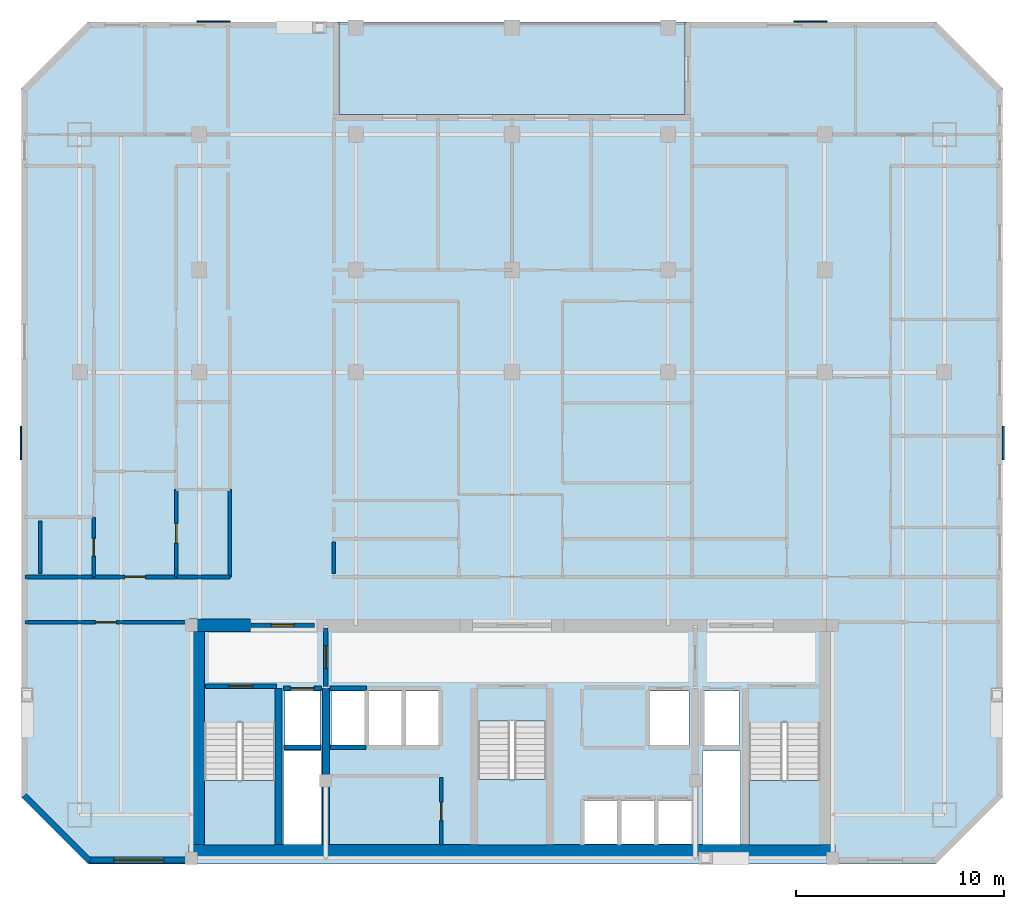
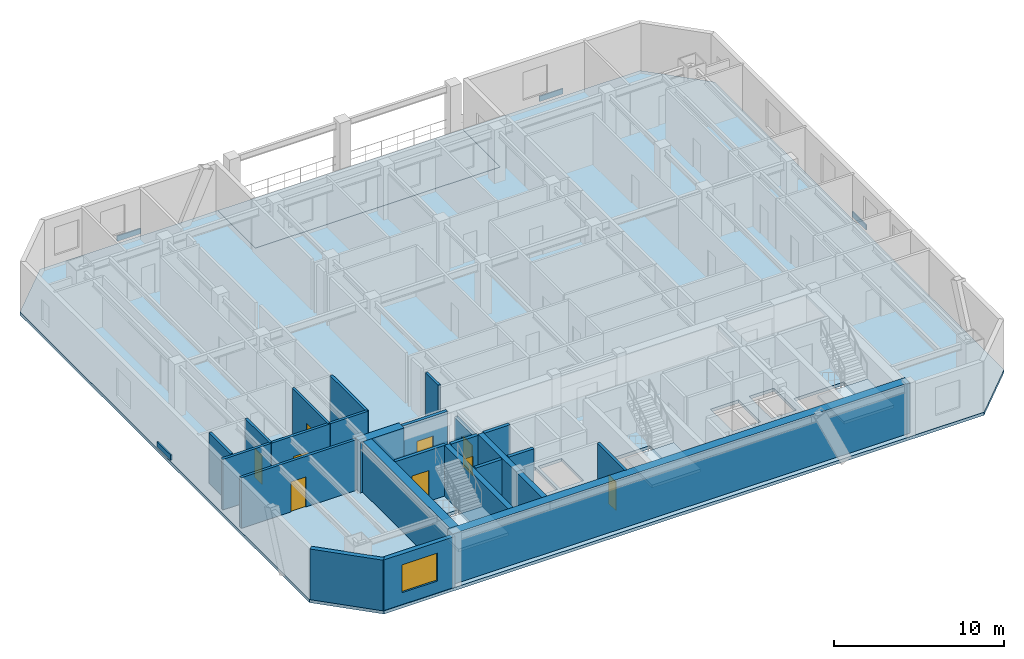
# One storey, part 2 of 8: 24 walls, 9 doors, 5 slabs, 4 plates, 1 window, 10 openings, 3 elements without a shape of their own.
"""IFC4 building model written with IfcOpenShell, lengths in metres."""

from ifc_helpers import new_model, si_unit, direction, frame, frame_2d, origin, origin_2d, place, context, subcontext, project, spatial, polyline, rectangle, outline, extrude, material, layer, layer_set, type_object, element, fill, aggregate, save


model = new_model("IFC4")

# Units and contexts
model_context = context("Model", 3, precision=1e-05, world=origin(), true_north=direction((0.0, 1.0)))
body_context = subcontext(model_context, "Body", "Model", "MODEL_VIEW")
ifc_project = project(units=[si_unit("LENGTHUNIT", "METRE"), si_unit("AREAUNIT", "SQUARE_METRE"), si_unit("VOLUMEUNIT", "CUBIC_METRE"), si_unit("PLANEANGLEUNIT", "RADIAN"), si_unit("MASSUNIT", "GRAM", prefix="KILO")], contexts=[model_context])

# Site, building, storey
site_placement = place(None, origin())
site = spatial("IfcSite", under=ifc_project, at=site_placement, CompositionType="ELEMENT")
building_placement = place(site_placement, origin())
building = spatial("IfcBuilding", under=site, at=building_placement, Name="Ventersveld Concourse Tower", CompositionType="ELEMENT")
storey_placement = place(building_placement, frame((0.0, 0.0, 196.449951171875)))
storey = spatial("IfcBuildingStorey", under=building, at=storey_placement, Name="L48", CompositionType="ELEMENT", Elevation=196.449951171875)

# Plates
ifc_material_1 = material(Name="Precast concrete C45/55", Category="concrete")
ifc_layer_1 = layer(ifc_material_1, 0.080078125)
ifc_layer_set_1 = layer_set([ifc_layer_1], Name="Precast concrete C45/55")
plate_type = type_object("IfcPlateType", Name="PL-SPAND-80", PredefinedType="SHEET", material=ifc_layer_set_1)
for number, where, z_axis, x_axis, name in (
    (1, (52.320068359375, 20.199951171875, 0.170166015625), (0.0, 0.0, 1.0), (0.0, 1.0, 0.0), "L48 Litema Bas-Relief Precast Spandrel Cassette 1"),
    (2, (43.074951171875, 40.419921875, 0.170166015625), (0.0, 0.0, 1.0), (-1.0, 0.0, 0.0), "L48 Litema Bas-Relief Precast Spandrel Cassette 1"),
    (3, (14.425048828125, 40.419921875, 0.170166015625), (0.0, 0.0, 1.0), (-1.0, 0.0, 0.0), "L48 Litema Bas-Relief Precast Spandrel Cassette 1"),
    (4, (5.179931640625, 20.199951171875, 0.170166015625), (0.0, 0.0, 1.0), (0.0, -1.0, 0.0), "L48 Litema Bas-Relief Precast Spandrel Cassette 1"),
):
    element("IfcPlate", number, at=place(storey_placement, frame(where, z_axis=z_axis, x_axis=x_axis)), inside=storey, type_object=plate_type, Name=name, PredefinedType="SHEET", context=body_context, shape_type="SweptSolid", body=[
        extrude(rectangle(XDim=1.60009765625, YDim=0.080078125, at=origin_2d()), origin(), (0.0, 0.0, 1.0), 0.3798828125),
    ])

# Slabs
ifc_material_2 = material(Name="Concrete C50/60", Category="concrete")
ifc_layer_2 = layer(ifc_material_2, 0.219970703125)
ifc_layer_set_2 = layer_set([ifc_layer_2], Name="Concrete C50/60")
slab_type_1 = type_object("IfcSlabType", Name="SL-FLR-220", PredefinedType="FLOOR", material=ifc_layer_set_2)
slab_1_placement = place(storey_placement, frame((0.0, 0.0, -0.219970703125)))
element("IfcSlab", 5, at=slab_1_placement, inside=storey, type_object=slab_type_1, Name="L48 Composite Floor Slab", PredefinedType="FLOOR", context=body_context, shape_type="SweptSolid", body=[
    extrude(outline(polyline([(8.39990234375, 0.0), (49.10009765625, 0.0), (52.300048828125, 3.199951171875), (52.300048828125, 37.199951171875), (49.10009765625, 40.39990234375), (37.050048828125, 40.39990234375), (37.050048828125, 35.949951171875), (20.449951171875, 35.949951171875), (20.449951171875, 40.39990234375), (8.39990234375, 40.39990234375), (5.199951171875, 37.199951171875), (5.199951171875, 3.199951171875), (8.39990234375, 0.0)]), holes=[polyline([(13.97998046875, 6.794921875), (13.97998046875, 0.89990234375), (17.3798828125, 0.89990234375), (17.3798828125, 6.794921875), (13.97998046875, 6.794921875)]), polyline([(40.1201171875, 6.794921875), (40.1201171875, 0.89990234375), (43.52001953125, 0.89990234375), (43.52001953125, 6.794921875), (40.1201171875, 6.794921875)]), polyline([(27.10009765625, 6.844970703125), (27.10009765625, 0.89990234375), (30.39990234375, 0.89990234375), (30.39990234375, 6.844970703125), (27.10009765625, 6.844970703125)]), polyline([(17.85009765625, 5.699951171875), (19.530029296875, 5.699951171875), (19.530029296875, 8.300048828125), (17.85009765625, 8.300048828125), (17.85009765625, 5.699951171875)]), polyline([(37.969970703125, 5.699951171875), (39.64990234375, 5.699951171875), (39.64990234375, 8.300048828125), (37.969970703125, 8.300048828125), (37.969970703125, 5.699951171875)]), polyline([(35.35009765625, 5.699951171875), (37.25, 5.699951171875), (37.25, 8.300048828125), (35.35009765625, 8.300048828125), (35.35009765625, 5.699951171875)]), polyline([(32.2099609375, 0.949951171875), (33.81005859375, 0.949951171875), (33.81005859375, 3.050048828125), (32.2099609375, 3.050048828125), (32.2099609375, 0.949951171875)]), polyline([(33.989990234375, 0.949951171875), (35.590087890625, 0.949951171875), (35.590087890625, 3.050048828125), (33.989990234375, 3.050048828125), (33.989990234375, 0.949951171875)]), polyline([(35.77001953125, 0.949951171875), (37.3701171875, 0.949951171875), (37.3701171875, 3.050048828125), (35.77001953125, 3.050048828125), (35.77001953125, 0.949951171875)]), polyline([(20.090087890625, 5.699951171875), (21.68994140625, 5.699951171875), (21.68994140625, 8.300048828125), (20.090087890625, 8.300048828125), (20.090087890625, 5.699951171875)]), polyline([(21.8701171875, 5.699951171875), (23.469970703125, 5.699951171875), (23.469970703125, 8.300048828125), (21.8701171875, 8.300048828125), (21.8701171875, 5.699951171875)]), polyline([(23.64990234375, 5.699951171875), (25.25, 5.699951171875), (25.25, 8.300048828125), (23.64990234375, 8.300048828125), (23.64990234375, 5.699951171875)]), polyline([(17.780029296875, 0.919921875), (19.6201171875, 0.919921875), (19.6201171875, 5.419921875), (17.780029296875, 5.419921875), (17.780029296875, 0.919921875)]), polyline([(37.8798828125, 0.919921875), (39.719970703125, 0.919921875), (39.719970703125, 5.419921875), (37.8798828125, 5.419921875), (37.8798828125, 0.919921875)])]), origin(), (0.0, 0.0, 1.0), 0.219970703125),
])
slab_2_placement = place(storey_placement, frame((0.0, 0.0, -0.219970703125)))
element("IfcSlab", 6, at=slab_2_placement, inside=storey, type_object=slab_type_1, Name="L48 Outdoor Terrace Slab NOTCH-N", PredefinedType="FLOOR", context=body_context, shape_type="SweptSolid", body=[
    extrude(outline(polyline([(20.449951171875, 35.949951171875), (37.050048828125, 35.949951171875), (37.050048828125, 40.39990234375), (20.449951171875, 40.39990234375), (20.449951171875, 35.949951171875)])), origin(), (0.0, 0.0, 1.0), 0.219970703125),
])

# Stair, slab
stair_type_1 = type_object("IfcStairType", Name="ST-DOG-160", PredefinedType="HALF_TURN_STAIR", material=ifc_material_2)
stair_1_placement = place(storey_placement, origin())
stair_1 = element("IfcStair", 7, at=stair_1_placement, inside=storey, type_object=stair_type_1, Name="L48 Protected Tower Escape Stair ST-01", PredefinedType="HALF_TURN_STAIR")
ifc_layer_3 = layer(ifc_material_2, 0.199951171875)
ifc_layer_set_3 = layer_set([ifc_layer_3], Name="Concrete C50/60")
slab_type_2 = type_object("IfcSlabType", Name="SL-LND-200", PredefinedType="LANDING", material=ifc_layer_set_3)
slab_3_placement = place(storey_placement, frame((0.0, 0.0, 1.72509765625)))
slab_3 = element("IfcSlab", 8, at=slab_3_placement, type_object=slab_type_2, Name="ST-01 landing 1", PredefinedType="LANDING", context=body_context, shape_type="SweptSolid", body=[
    extrude(outline(polyline([(13.97998046875, 4.0), (13.97998046875, 0.89990234375), (17.3798828125, 0.89990234375), (17.3798828125, 4.0), (13.97998046875, 4.0)])), origin(), (0.0, 0.0, 1.0), 0.199951171875),
])
aggregate(stair_1, [slab_3])

stair_2_placement = place(storey_placement, origin())
stair_2 = element("IfcStair", 9, at=stair_2_placement, inside=storey, type_object=stair_type_1, Name="L48 Protected Tower Escape Stair ST-02", PredefinedType="HALF_TURN_STAIR")
slab_4_placement = place(storey_placement, frame((0.0, 0.0, 1.72509765625)))
slab_4 = element("IfcSlab", 10, at=slab_4_placement, type_object=slab_type_2, Name="ST-02 landing 1", PredefinedType="LANDING", context=body_context, shape_type="SweptSolid", body=[
    extrude(outline(polyline([(40.1201171875, 4.0), (40.1201171875, 0.89990234375), (43.52001953125, 0.89990234375), (43.52001953125, 4.0), (40.1201171875, 4.0)])), origin(), (0.0, 0.0, 1.0), 0.199951171875),
])
aggregate(stair_2, [slab_4])

stair_type_2 = type_object("IfcStairType", Name="ST-DOG-155", PredefinedType="HALF_TURN_STAIR", material=ifc_material_2)
stair_3_placement = place(storey_placement, origin())
stair_3 = element("IfcStair", 11, at=stair_3_placement, inside=storey, type_object=stair_type_2, Name="L48 Protected Central Core Escape Stair ST-03", PredefinedType="HALF_TURN_STAIR")
slab_5_placement = place(storey_placement, frame((0.0, 0.0, 1.72509765625)))
slab_5 = element("IfcSlab", 12, at=slab_5_placement, type_object=slab_type_2, Name="ST-03 landing 1", PredefinedType="LANDING", context=body_context, shape_type="SweptSolid", body=[
    extrude(outline(polyline([(27.10009765625, 4.050048828125), (27.10009765625, 0.89990234375), (30.39990234375, 0.89990234375), (30.39990234375, 4.050048828125), (27.10009765625, 4.050048828125)])), origin(), (0.0, 0.0, 1.0), 0.199951171875),
])
aggregate(stair_3, [slab_5])

# Walls
ifc_layer_4 = layer(ifc_material_2, 0.35009765625)
ifc_layer_set_4 = layer_set([ifc_layer_4], Name="Concrete C50/60")
wall_type_1 = type_object("IfcWallType", Name="WL-CORE-350U", PredefinedType="SHEAR", material=ifc_layer_set_4)
for number, where, z_axis, x_axis, name in (
    (13, (17.5400390625, 0.919921875, 0.0), (0.0, 0.0, 1.0), (0.0, 1.0, 0.0), "L48 Core Internal Shear Web W-ST1-E"),
    (14, (19.820068359375, 0.919921875, 0.0), (0.0, 0.0, 1.0), (0.0, 1.0, 0.0), "L48 Core Internal Shear Web W-FF1-E"),
):
    element("IfcWall", number, at=place(storey_placement, frame(where, z_axis=z_axis, x_axis=x_axis)), inside=storey, type_object=wall_type_1, Name=name, PredefinedType="SHEAR", context=body_context, shape_type="SweptSolid", body=[
        extrude(rectangle(XDim=7.5, YDim=0.35009765625, at=frame_2d((3.75, 0.0))), origin(), (0.0, 0.0, 1.0), 3.630126953125),
    ])
ifc_layer_5 = layer(ifc_material_2, 0.60009765625)
ifc_layer_set_5 = layer_set([ifc_layer_5], Name="Concrete C50/60")
wall_type_2 = type_object("IfcWallType", Name="WL-CORE-600", PredefinedType="SHEAR", material=ifc_layer_set_5)
wall_1_placement = place(storey_placement, frame((13.25, 0.6201171875, 0.0), z_axis=(0.0, 0.0, 1.0), x_axis=(1.0, 0.0, 0.0)))
element("IfcWall", 15, at=wall_1_placement, inside=storey, type_object=wall_type_2, Name="L48 Rear Core South Shear Wall", PredefinedType="SHEAR", context=body_context, shape_type="SweptSolid", body=[
    extrude(rectangle(XDim=31.0, YDim=0.60009765625, at=frame_2d((15.5, 0.0))), origin(), (0.0, 0.0, 1.0), 3.630126953125),
])
wall_2_placement = place(storey_placement, frame((13.699951171875, 0.919921875, 0.0), z_axis=(0.0, 0.0, 1.0), x_axis=(0.0, 1.0, 0.0)))
element("IfcWall", 16, at=wall_2_placement, inside=storey, type_object=wall_type_2, Name="L48 Rear Core West Shear Wall", PredefinedType="SHEAR", context=body_context, shape_type="SweptSolid", body=[
    extrude(rectangle(XDim=10.530029296875, YDim=0.60009765625, at=frame_2d((5.26513671875, 0.0))), origin(), (0.0, 0.0, 1.0), 3.630126953125),
])
wall_3_placement = place(storey_placement, frame((13.25, 11.449951171875, 0.0), z_axis=(0.0, 0.0, 1.0), x_axis=(1.0, 0.0, 0.0)))
element("IfcWall", 17, at=wall_3_placement, inside=storey, type_object=wall_type_2, Name="L48 Rear Core North Shear Wall NW", PredefinedType="SHEAR", context=body_context, shape_type="SweptSolid", body=[
    extrude(rectangle(XDim=2.949951171875, YDim=0.60009765625, at=frame_2d((1.47509765625, 0.0))), origin(), (0.0, 0.0, 1.0), 3.630126953125),
])

# Wall, opening, door
ifc_material_3 = material(Name="Fire-rated autoclaved aerated masonry blockwork", Category="masonry")
ifc_layer_6 = layer(ifc_material_3, 0.179931640625)
ifc_layer_set_6 = layer_set([ifc_layer_6], Name="Fire-rated autoclaved aerated masonry blockwork")
wall_type_3 = type_object("IfcWallType", Name="WL-CORR-180", PredefinedType="PARTITIONING", material=ifc_layer_set_6)
wall_4_placement = place(storey_placement, frame((25.35009765625, 0.89990234375, 0.0), z_axis=(0.0, 0.0, 1.0), x_axis=(0.0, 1.0, 0.0)))
wall_4 = element("IfcWall", 18, at=wall_4_placement, inside=storey, type_object=wall_type_3, Name="L48 Core Passage Wall SP-L48-RECB1A", PredefinedType="PARTITIONING", context=body_context, shape_type="SweptSolid", body=[
    extrude(rectangle(XDim=3.239990234375, YDim=0.179931640625, at=frame_2d((1.6201171875, 0.0))), origin(), (0.0, 0.0, 1.0), 3.630126953125),
])
opening_1_placement = place(wall_4_placement, frame((1.179931640625, 0.0, 0.0)))
opening_1 = element("IfcOpeningElement", 19, at=opening_1_placement, cuts=wall_4, Name="Opening FD5", PredefinedType="OPENING", context=body_context, shape_type="SweptSolid", body=[
    extrude(rectangle(XDim=0.8798828125, YDim=2.050048828125, at=frame_2d((0.43994140625, 1.02490234375))), frame((0.0, 0.10009765625, 0.0), z_axis=(0.0, -1.0, 0.0), x_axis=(1.0, 0.0, 0.0)), (0.0, 0.0, 1.0), 0.199951171875),
])
ifc_material_4 = material(Name="Galvanised painted steel", Category="steel")
door_type_1 = type_object("IfcDoorType", Name="DR-RISER-088", OperationType="NOTDEFINED", PredefinedType="DOOR", material=ifc_material_4)
door_1_placement = place(opening_1_placement, origin())
door_1 = element("IfcDoor", 20, at=door_1_placement, inside=storey, type_object=door_type_1, Name="L48 Core Room Door L48 Reclaimed Core Quiet Study Pod (CD-L48-2342)", OperationType="SINGLE_SWING_LEFT", OverallHeight=2.050048828125, OverallWidth=0.8798828125, PredefinedType="DOOR", context=body_context, shape_type="SweptSolid", body=[
    extrude(rectangle(XDim=0.8798828125, YDim=2.050048828125, at=frame_2d((0.43994140625, 1.02490234375))), frame((0.0, 0.02490234375, 0.0), z_axis=(0.0, -1.0, 0.0), x_axis=(1.0, 0.0, 0.0)), (0.0, 0.0, 1.0), 0.050048828125),
])
fill(opening_1, door_1)

wall_5_placement = place(storey_placement, frame((5.37255859375, 11.60009765625, 0.0), z_axis=(0.0, 0.0, 1.0), x_axis=(1.0, 0.0, 0.0)))
wall_5 = element("IfcWall", 21, at=wall_5_placement, inside=storey, type_object=wall_type_3, Name="L48 Interior Partition SP-L48-SW-GAL-SP-L48-COR", PredefinedType="PARTITIONING", context=body_context, shape_type="SweptSolid", body=[
    extrude(rectangle(XDim=7.7724609375, YDim=0.179931640625, at=frame_2d((3.88623046875, 0.0))), origin(), (0.0, 0.0, 1.0), 3.630126953125),
])
opening_2_placement = place(wall_5_placement, frame((3.38623046875, 0.0, 0.0)))
opening_2 = element("IfcOpeningElement", 22, at=opening_2_placement, cuts=wall_5, Name="Opening FD3", PredefinedType="OPENING", context=body_context, shape_type="SweptSolid", body=[
    extrude(rectangle(XDim=1.0, YDim=2.14990234375, at=frame_2d((0.5, 1.074951171875))), frame((0.0, 0.10009765625, 0.0), z_axis=(0.0, -1.0, 0.0), x_axis=(1.0, 0.0, 0.0)), (0.0, 0.0, 1.0), 0.199951171875),
])
ifc_material_5 = material(Name="Solid-core hardwood veneer timber", Category="wood")
door_type_2 = type_object("IfcDoorType", Name="DR-FLAT-100", OperationType="NOTDEFINED", PredefinedType="DOOR", material=ifc_material_5)
door_2_placement = place(opening_2_placement, origin())
door_2 = element("IfcDoor", 23, at=door_2_placement, inside=storey, type_object=door_type_2, Name="L48 Interior Door SP-L48-SW-GAL to SP-L48-COR (D-L48-2344)", OperationType="SINGLE_SWING_RIGHT", OverallHeight=2.14990234375, OverallWidth=1.0, PredefinedType="DOOR", context=body_context, shape_type="SweptSolid", body=[
    extrude(rectangle(XDim=1.0, YDim=2.14990234375, at=frame_2d((0.5, 1.074951171875))), frame((0.0, 0.02490234375, 0.0), z_axis=(0.0, -1.0, 0.0), x_axis=(1.0, 0.0, 0.0)), (0.0, 0.0, 1.0), 0.050048828125),
])
fill(opening_2, door_2)

wall_6_placement = place(storey_placement, frame((8.67236328125, 13.77001953125, 0.0), z_axis=(0.0, 0.0, 1.0), x_axis=(1.0, 0.0, 0.0)))
wall_6 = element("IfcWall", 24, at=wall_6_placement, inside=storey, type_object=wall_type_3, Name="L48 Interior Partition SP-L48-COR-SP-L48-48NW-FOY", PredefinedType="PARTITIONING", context=body_context, shape_type="SweptSolid", body=[
    extrude(rectangle(XDim=3.969970703125, YDim=0.179931640625, at=frame_2d((1.98486328125, 0.0))), origin(), (0.0, 0.0, 1.0), 3.630126953125),
])
opening_3_placement = place(wall_6_placement, frame((1.485107421875, 0.0, 0.0)))
opening_3 = element("IfcOpeningElement", 25, at=opening_3_placement, cuts=wall_6, Name="Opening FD3", PredefinedType="OPENING", context=body_context, shape_type="SweptSolid", body=[
    extrude(rectangle(XDim=1.0, YDim=2.14990234375, at=frame_2d((0.5, 1.074951171875))), frame((0.0, 0.10009765625, 0.0), z_axis=(0.0, -1.0, 0.0), x_axis=(1.0, 0.0, 0.0)), (0.0, 0.0, 1.0), 0.199951171875),
])
door_3_placement = place(opening_3_placement, origin())
door_3 = element("IfcDoor", 26, at=door_3_placement, inside=storey, type_object=door_type_2, Name="L48 Interior Door SP-L48-COR to SP-L48-48NW-FOY (FD-L48-2346)", OperationType="SINGLE_SWING_RIGHT", OverallHeight=2.14990234375, OverallWidth=1.0, PredefinedType="DOOR", context=body_context, shape_type="SweptSolid", body=[
    extrude(rectangle(XDim=1.0, YDim=2.14990234375, at=frame_2d((0.5, 1.074951171875))), frame((0.0, 0.02490234375, 0.0), z_axis=(0.0, -1.0, 0.0), x_axis=(1.0, 0.0, 0.0)), (0.0, 0.0, 1.0), 0.050048828125),
])
fill(opening_3, door_3)

# Walls
wall_7_placement = place(storey_placement, frame((5.37255859375, 13.77001953125, 0.0), z_axis=(0.0, 0.0, 1.0), x_axis=(1.0, 0.0, 0.0)))
element("IfcWall", 27, at=wall_7_placement, inside=storey, type_object=wall_type_3, Name="L48 Interior Partition SP-L48-COR-SP-L48-48NW-BATH", PredefinedType="PARTITIONING", context=body_context, shape_type="SweptSolid", body=[
    extrude(rectangle(XDim=3.269775390625, YDim=0.179931640625, at=frame_2d((1.634765625, 0.0))), origin(), (0.0, 0.0, 1.0), 3.630126953125),
])
wall_8_placement = place(storey_placement, frame((15.2099609375, 13.764892578125, 0.0), z_axis=(0.0, 0.0, 1.0), x_axis=(0.0, 1.0, 0.0)))
element("IfcWall", 28, at=wall_8_placement, inside=storey, type_object=wall_type_3, Name="L48 Interior Partition SP-L48-COR-SP-L48-48NW-KIT", PredefinedType="PARTITIONING", context=body_context, shape_type="SweptSolid", body=[
    extrude(rectangle(XDim=4.202392578125, YDim=0.179931640625, at=frame_2d((2.10107421875, 0.0))), origin(), (0.0, 0.0, 1.0), 3.630126953125),
])
wall_9_placement = place(storey_placement, frame((12.67236328125, 13.77001953125, 0.0), z_axis=(0.0, 0.0, 1.0), x_axis=(1.0, 0.0, 0.0)))
element("IfcWall", 29, at=wall_9_placement, inside=storey, type_object=wall_type_3, Name="L48 Interior Partition SP-L48-COR-SP-L48-48NW-KIT", PredefinedType="PARTITIONING", context=body_context, shape_type="SweptSolid", body=[
    extrude(rectangle(XDim=2.542724609375, YDim=0.179931640625, at=frame_2d((1.271484375, 0.0))), origin(), (0.0, 0.0, 1.0), 3.630126953125),
])
ifc_layer_7 = layer(ifc_material_3, 0.219970703125)
ifc_layer_set_7 = layer_set([ifc_layer_7], Name="Fire-rated autoclaved aerated masonry blockwork")
wall_type_4 = type_object("IfcWallType", Name="WL-HOIST-220", PredefinedType="SOLIDWALL", material=ifc_layer_set_7)
wall_10_placement = place(storey_placement, frame((17.800048828125, 5.590087890625, 0.0), z_axis=(0.0, 0.0, 1.0), x_axis=(1.0, 0.0, 0.0)))
element("IfcWall", 30, at=wall_10_placement, inside=storey, type_object=wall_type_4, Name="L48 Lift Hoistway Back Wall FFL-01", PredefinedType="SOLIDWALL", context=body_context, shape_type="SweptSolid", body=[
    extrude(rectangle(XDim=1.780029296875, YDim=0.219970703125, at=frame_2d((0.89013671875, 0.0))), origin(), (0.0, 0.0, 1.0), 3.630126953125),
])

# Wall, opening, door
wall_11_placement = place(storey_placement, frame((17.780029296875, 8.429931640625, 0.0), z_axis=(0.0, 0.0, 1.0), x_axis=(1.0, 0.0, 0.0)))
wall_11 = element("IfcWall", 31, at=wall_11_placement, inside=storey, type_object=wall_type_4, Name="L48 Lift Hoistway Front Wall FFL-01", PredefinedType="SOLIDWALL", context=body_context, shape_type="SweptSolid", body=[
    extrude(rectangle(XDim=1.820068359375, YDim=0.219970703125, at=frame_2d((0.91015625, 0.0))), origin(), (0.0, 0.0, 1.0), 3.630126953125),
])
opening_4_placement = place(wall_11_placement, frame((0.35009765625, 0.0, 0.0)))
opening_4 = element("IfcOpeningElement", 32, at=opening_4_placement, cuts=wall_11, Name="Opening LD1", PredefinedType="OPENING", context=body_context, shape_type="SweptSolid", body=[
    extrude(rectangle(XDim=1.1201171875, YDim=2.25, at=frame_2d((0.56005859375, 1.125))), frame((0.0, 0.1201171875, 0.0), z_axis=(0.0, -1.0, 0.0), x_axis=(1.0, 0.0, 0.0)), (0.0, 0.0, 1.0), 0.239990234375),
])
ifc_material_6 = material(Name="Brushed stainless steel 316", Category="steel")
door_type_3 = type_object("IfcDoorType", Name="LD-FF-112", OperationType="SLIDING_TO_LEFT", PredefinedType="DOOR", material=ifc_material_6)
door_4_placement = place(opening_4_placement, origin())
door_4 = element("IfcDoor", 33, at=door_4_placement, inside=storey, type_object=door_type_3, Name="L48 Lift landing door FFL-01 (LD-L48-FFL-01)", OperationType="SLIDING_TO_LEFT", OverallHeight=2.25, OverallWidth=1.1201171875, PredefinedType="DOOR", context=body_context, shape_type="SweptSolid", body=[
    extrude(rectangle(XDim=1.1201171875, YDim=2.25, at=frame_2d((0.56005859375, 1.125))), frame((0.0, 0.02490234375, 0.0), z_axis=(0.0, -1.0, 0.0), x_axis=(1.0, 0.0, 0.0)), (0.0, 0.0, 1.0), 0.050048828125),
])
fill(opening_4, door_4)

# Walls
wall_12_placement = place(storey_placement, frame((20.0400390625, 5.590087890625, 0.0), z_axis=(0.0, 0.0, 1.0), x_axis=(1.0, 0.0, 0.0)))
element("IfcWall", 34, at=wall_12_placement, inside=storey, type_object=wall_type_4, Name="L48 Lift Hoistway Back Wall PH-01", PredefinedType="SOLIDWALL", context=body_context, shape_type="SweptSolid", body=[
    extrude(rectangle(XDim=1.699951171875, YDim=0.219970703125, at=frame_2d((0.85009765625, 0.0))), origin(), (0.0, 0.0, 1.0), 3.630126953125),
])
wall_13_placement = place(storey_placement, frame((20.02001953125, 8.429931640625, 0.0), z_axis=(0.0, 0.0, 1.0), x_axis=(1.0, 0.0, 0.0)))
element("IfcWall", 35, at=wall_13_placement, inside=storey, type_object=wall_type_4, Name="L48 Lift Hoistway Front Wall PH-01", PredefinedType="SOLIDWALL", context=body_context, shape_type="SweptSolid", body=[
    extrude(rectangle(XDim=1.739990234375, YDim=0.219970703125, at=frame_2d((0.8701171875, 0.0))), origin(), (0.0, 0.0, 1.0), 3.630126953125),
])

# Wall, opening, door
wall_14_placement = place(storey_placement, frame((14.0400390625, 8.52001953125, 0.0), z_axis=(0.0, 0.0, 1.0), x_axis=(1.0, 0.0, 0.0)))
wall_14 = element("IfcWall", 36, at=wall_14_placement, inside=storey, type_object=wall_type_4, Name="L48 Escape Stair ST01 Fire Wall", PredefinedType="SOLIDWALL", context=body_context, shape_type="SweptSolid", body=[
    extrude(rectangle(XDim=3.39990234375, YDim=0.219970703125, at=frame_2d((1.699951171875, 0.0))), origin(), (0.0, 0.0, 1.0), 3.630126953125),
])
opening_5_placement = place(wall_14_placement, frame((1.125, 0.0, 0.0)))
opening_5 = element("IfcOpeningElement", 37, at=opening_5_placement, cuts=wall_14, Name="Opening FD1", PredefinedType="OPENING", context=body_context, shape_type="SweptSolid", body=[
    extrude(rectangle(XDim=1.14990234375, YDim=2.199951171875, at=frame_2d((0.574951171875, 1.10009765625))), frame((0.0, 0.1201171875, 0.0), z_axis=(0.0, -1.0, 0.0), x_axis=(1.0, 0.0, 0.0)), (0.0, 0.0, 1.0), 0.239990234375),
])
door_type_4 = type_object("IfcDoorType", Name="DR-STAIR-115", OperationType="NOTDEFINED", PredefinedType="DOOR", material=ifc_material_4)
door_5_placement = place(opening_5_placement, origin())
door_5 = element("IfcDoor", 38, at=door_5_placement, inside=storey, type_object=door_type_4, Name="L48 Escape Stair Door ST01 (SD-L48-2334)", OperationType="SINGLE_SWING_LEFT", OverallHeight=2.199951171875, OverallWidth=1.14990234375, PredefinedType="DOOR", context=body_context, shape_type="SweptSolid", body=[
    extrude(rectangle(XDim=1.14990234375, YDim=2.199951171875, at=frame_2d((0.574951171875, 1.10009765625))), frame((0.0, 0.02490234375, 0.0), z_axis=(0.0, -1.0, 0.0), x_axis=(1.0, 0.0, 0.0)), (0.0, 0.0, 1.0), 0.050048828125),
])
fill(opening_5, door_5)

wall_15_placement = place(storey_placement, frame((19.820068359375, 8.52001953125, 0.0), z_axis=(0.0, 0.0, 1.0), x_axis=(0.0, 1.0, 0.0)))
wall_15 = element("IfcWall", 39, at=wall_15_placement, inside=storey, type_object=wall_type_4, Name="L48 Firefighting Lobby Smoke-Stop Wall FFLW-SEP", PredefinedType="SOLIDWALL", context=body_context, shape_type="SweptSolid", body=[
    extrude(rectangle(XDim=2.800048828125, YDim=0.219970703125, at=frame_2d((1.39990234375, 0.0))), origin(), (0.0, 0.0, 1.0), 3.08544921875),
])
opening_6_placement = place(wall_15_placement, frame((0.85009765625, 0.0, 0.0)))
opening_6 = element("IfcOpeningElement", 40, at=opening_6_placement, cuts=wall_15, Name="Opening FD2", PredefinedType="OPENING", context=body_context, shape_type="SweptSolid", body=[
    extrude(rectangle(XDim=1.10009765625, YDim=2.199951171875, at=frame_2d((0.550048828125, 1.10009765625))), frame((0.0, 0.1201171875, 0.0), z_axis=(0.0, -1.0, 0.0), x_axis=(1.0, 0.0, 0.0)), (0.0, 0.0, 1.0), 0.239990234375),
])
door_type_5 = type_object("IfcDoorType", Name="DR-FFL-110", OperationType="NOTDEFINED", PredefinedType="DOOR", material=ifc_material_4)
door_6_placement = place(opening_6_placement, origin())
door_6 = element("IfcDoor", 41, at=door_6_placement, inside=storey, type_object=door_type_5, Name="L48 Firefighting Lobby Door FFLW-SEP (FD-L48-2337)", OperationType="SINGLE_SWING_LEFT", OverallHeight=2.199951171875, OverallWidth=1.10009765625, PredefinedType="DOOR", context=body_context, shape_type="SweptSolid", body=[
    extrude(rectangle(XDim=1.10009765625, YDim=2.199951171875, at=frame_2d((0.550048828125, 1.10009765625))), frame((0.0, 0.02490234375, 0.0), z_axis=(0.0, -1.0, 0.0), x_axis=(1.0, 0.0, 0.0)), (0.0, 0.0, 1.0), 0.050048828125),
])
fill(opening_6, door_6)

wall_16_placement = place(storey_placement, frame((16.22998046875, 11.449951171875, 0.0), z_axis=(0.0, 0.0, 1.0), x_axis=(1.0, 0.0, 0.0)))
wall_16 = element("IfcWall", 42, at=wall_16_placement, inside=storey, type_object=wall_type_4, Name="L48 Core North Fire Portal FFLW-OUT", PredefinedType="SOLIDWALL", context=body_context, shape_type="SweptSolid", body=[
    extrude(rectangle(XDim=3.0400390625, YDim=0.219970703125, at=frame_2d((1.52001953125, 0.0))), origin(), (0.0, 0.0, 1.0), 3.630126953125),
])
opening_7_placement = place(wall_16_placement, frame((0.969970703125, 0.0, 0.0)))
opening_7 = element("IfcOpeningElement", 43, at=opening_7_placement, cuts=wall_16, Name="Opening FD2", PredefinedType="OPENING", context=body_context, shape_type="SweptSolid", body=[
    extrude(rectangle(XDim=1.10009765625, YDim=2.199951171875, at=frame_2d((0.550048828125, 1.10009765625))), frame((0.0, 0.1201171875, 0.0), z_axis=(0.0, -1.0, 0.0), x_axis=(1.0, 0.0, 0.0)), (0.0, 0.0, 1.0), 0.239990234375),
])
door_7_placement = place(opening_7_placement, origin())
door_7 = element("IfcDoor", 44, at=door_7_placement, inside=storey, type_object=door_type_5, Name="L48 Core Lobby Fire Door FFLW-OUT (FD-L48-2339)", OperationType="SINGLE_SWING_RIGHT", OverallHeight=2.199951171875, OverallWidth=1.10009765625, PredefinedType="DOOR", context=body_context, shape_type="SweptSolid", body=[
    extrude(rectangle(XDim=1.10009765625, YDim=2.199951171875, at=frame_2d((0.550048828125, 1.10009765625))), frame((0.0, 0.02490234375, 0.0), z_axis=(0.0, -1.0, 0.0), x_axis=(1.0, 0.0, 0.0)), (0.0, 0.0, 1.0), 0.050048828125),
])
fill(opening_7, door_7)

ifc_material_7 = material(Name="Autoclaved aerated masonry blockwork", Category="masonry")
ifc_layer_8 = layer(ifc_material_7, 0.14990234375)
ifc_layer_set_8 = layer_set([ifc_layer_8], Name="Autoclaved aerated masonry blockwork")
wall_type_5 = type_object("IfcWallType", Name="WL-INT-150", PredefinedType="PARTITIONING", material=ifc_layer_set_8)
wall_17_placement = place(storey_placement, frame((12.637451171875, 13.764892578125, 0.0), z_axis=(0.0, 0.0, 1.0), x_axis=(0.0, 1.0, 0.0)))
wall_17 = element("IfcWall", 45, at=wall_17_placement, inside=storey, type_object=wall_type_5, Name="L48 Interior Partition SP-L48-48NW-FOY-SP-L48-48NW-KIT", PredefinedType="PARTITIONING", context=body_context, shape_type="SweptSolid", body=[
    extrude(rectangle(XDim=4.202392578125, YDim=0.14990234375, at=frame_2d((2.10107421875, 0.0))), origin(), (0.0, 0.0, 1.0), 3.630126953125),
])
opening_8_placement = place(wall_17_placement, frame((1.64111328125, 0.0, 0.0)))
opening_8 = element("IfcOpeningElement", 46, at=opening_8_placement, cuts=wall_17, Name="Opening ID1", PredefinedType="OPENING", context=body_context, shape_type="SweptSolid", body=[
    extrude(rectangle(XDim=0.919921875, YDim=2.10009765625, at=frame_2d((0.4599609375, 1.050048828125))), frame((0.0, 0.0849609375, 0.0), z_axis=(0.0, -1.0, 0.0), x_axis=(1.0, 0.0, 0.0)), (0.0, 0.0, 1.0), 0.169921875),
])
door_type_6 = type_object("IfcDoorType", Name="DR-ROOM-092", OperationType="NOTDEFINED", PredefinedType="DOOR", material=ifc_material_5)
door_8_placement = place(opening_8_placement, origin())
door_8 = element("IfcDoor", 47, at=door_8_placement, inside=storey, type_object=door_type_6, Name="L48 Interior Door SP-L48-48NW-FOY to SP-L48-48NW-KIT (D-L48-2352)", OperationType="SINGLE_SWING_RIGHT", OverallHeight=2.10009765625, OverallWidth=0.919921875, PredefinedType="DOOR", context=body_context, shape_type="SweptSolid", body=[
    extrude(rectangle(XDim=0.919921875, YDim=2.10009765625, at=frame_2d((0.4599609375, 1.050048828125))), frame((0.0, 0.02490234375, 0.0), z_axis=(0.0, -1.0, 0.0), x_axis=(1.0, 0.0, 0.0)), (0.0, 0.0, 1.0), 0.050048828125),
])
fill(opening_8, door_8)

# Wall, opening, window
ifc_layer_9 = layer(ifc_material_1, 0.300048828125)
ifc_layer_set_9 = layer_set([ifc_layer_9], Name="Precast concrete C45/55")
wall_type_6 = type_object("IfcWallType", Name="WL-PREC-300", PredefinedType="SOLIDWALL", material=ifc_layer_set_9)
wall_18_placement = place(storey_placement, frame((8.43994140625, 0.179931640625, 0.0), z_axis=(0.0, 0.0, 1.0), x_axis=(1.0, 0.0, 0.0)))
wall_18 = element("IfcWall", 48, at=wall_18_placement, inside=storey, type_object=wall_type_6, Name="L48 South-West Flank Precast Wall", PredefinedType="SOLIDWALL", context=body_context, shape_type="SweptSolid", body=[
    extrude(rectangle(XDim=4.81005859375, YDim=0.300048828125, at=frame_2d((2.405029296875, 0.0))), origin(), (0.0, 0.0, 1.0), 3.630126953125),
])
opening_9_placement = place(wall_18_placement, frame((1.205078125, 0.0, 0.85009765625)))
opening_9 = element("IfcOpeningElement", 49, at=opening_9_placement, cuts=wall_18, Name="Opening W5", PredefinedType="OPENING", context=body_context, shape_type="SweptSolid", body=[
    extrude(rectangle(XDim=2.39990234375, YDim=2.0, at=frame_2d((1.199951171875, 1.0))), frame((0.0, 0.16015625, 0.0), z_axis=(0.0, -1.0, 0.0), x_axis=(1.0, 0.0, 0.0)), (0.0, 0.0, 1.0), 0.320068359375),
])
ifc_material_8 = material(Name="Tempered acoustic Low-E IGU", Category="glass")
window_type = type_object("IfcWindowType", Name="WIN-240x210", PartitioningType="SINGLE_PANEL", PredefinedType="WINDOW", material=ifc_material_8)
window_placement = place(opening_9_placement, origin())
window = element("IfcWindow", 50, at=window_placement, inside=storey, type_object=window_type, Name="L48 Punched Low-E Window W-0669", OverallHeight=2.0, OverallWidth=2.39990234375, PartitioningType="SINGLE_PANEL", PredefinedType="WINDOW", context=body_context, shape_type="SweptSolid", body=[
    extrude(rectangle(XDim=2.39990234375, YDim=2.0, at=frame_2d((1.199951171875, 1.0))), frame((0.0, 0.030029296875, 0.0), z_axis=(0.0, -1.0, 0.0), x_axis=(1.0, 0.0, 0.0)), (0.0, 0.0, 1.0), 0.06005859375),
])
fill(opening_9, window)

# Wall
wall_19_placement = place(storey_placement, frame((5.33447265625, 3.27783203125, 0.0), z_axis=(0.0, 0.0, 1.0), x_axis=(0.707106781187, -0.707106781187, 0.0)))
element("IfcWall", 51, at=wall_19_placement, inside=storey, type_object=wall_type_6, Name="L48 Highveld Precast Facade Wall E12", PredefinedType="SOLIDWALL", context=body_context, shape_type="SweptSolid", body=[
    extrude(rectangle(XDim=4.4453125, YDim=0.300048828125, at=frame_2d((2.22265625, 0.0))), origin(), (0.0, 0.0, 1.0), 3.630126953125),
])

# Wall, opening, door
ifc_layer_10 = layer(ifc_material_7, 0.1650390625)
ifc_layer_set_10 = layer_set([ifc_layer_10], Name="Autoclaved aerated masonry blockwork")
wall_type_7 = type_object("IfcWallType", Name="WL-WET-165", PredefinedType="PLUMBINGWALL", material=ifc_layer_set_10)
wall_20_placement = place(storey_placement, frame((8.677490234375, 13.764892578125, 0.0), z_axis=(0.0, 0.0, 1.0), x_axis=(0.0, 1.0, 0.0)))
wall_20 = element("IfcWall", 52, at=wall_20_placement, inside=storey, type_object=wall_type_7, Name="L48 Interior Partition SP-L48-48NW-FOY-SP-L48-48NW-BATH", PredefinedType="PLUMBINGWALL", context=body_context, shape_type="SweptSolid", body=[
    extrude(rectangle(XDim=2.864990234375, YDim=0.1650390625, at=frame_2d((1.4326171875, 0.0))), origin(), (0.0, 0.0, 1.0), 3.630126953125),
])
opening_10_placement = place(wall_20_placement, frame((1.00732421875, 0.0, 0.0)))
opening_10 = element("IfcOpeningElement", 53, at=opening_10_placement, cuts=wall_20, Name="Opening ID2", PredefinedType="OPENING", context=body_context, shape_type="SweptSolid", body=[
    extrude(rectangle(XDim=0.85009765625, YDim=2.10009765625, at=frame_2d((0.425048828125, 1.050048828125))), frame((0.0, 0.092529296875, 0.0), z_axis=(0.0, -1.0, 0.0), x_axis=(1.0, 0.0, 0.0)), (0.0, 0.0, 1.0), 0.18505859375),
])
door_type_7 = type_object("IfcDoorType", Name="DR-BATH-085", OperationType="NOTDEFINED", PredefinedType="DOOR", material=ifc_material_5)
door_9_placement = place(opening_10_placement, origin())
door_9 = element("IfcDoor", 54, at=door_9_placement, inside=storey, type_object=door_type_7, Name="L48 Interior Door SP-L48-48NW-FOY to SP-L48-48NW-BATH (D-L48-2350)", OperationType="SINGLE_SWING_RIGHT", OverallHeight=2.10009765625, OverallWidth=0.85009765625, PredefinedType="DOOR", context=body_context, shape_type="SweptSolid", body=[
    extrude(rectangle(XDim=0.85009765625, YDim=2.10009765625, at=frame_2d((0.425048828125, 1.050048828125))), frame((0.0, 0.02490234375, 0.0), z_axis=(0.0, -1.0, 0.0), x_axis=(1.0, 0.0, 0.0)), (0.0, 0.0, 1.0), 0.050048828125),
])
fill(opening_10, door_9)

# Walls
wall_21_placement = place(storey_placement, frame((6.1201171875, 13.93505859375, 0.0), z_axis=(0.0, 0.0, 1.0), x_axis=(0.0, 1.0, 0.0)))
element("IfcWall", 55, at=wall_21_placement, inside=storey, type_object=wall_type_7, Name="L48 Room Enclosure Wall SP-L48-48NW-BATH", PredefinedType="PLUMBINGWALL", context=body_context, shape_type="SweptSolid", body=[
    extrude(rectangle(XDim=2.52490234375, YDim=0.1650390625, at=frame_2d((1.262451171875, 0.0))), origin(), (0.0, 0.0, 1.0), 3.630126953125),
])
wall_22_placement = place(storey_placement, frame((20.199951171875, 13.93505859375, 0.0), z_axis=(0.0, 0.0, 1.0), x_axis=(0.0, 1.0, 0.0)))
element("IfcWall", 56, at=wall_22_placement, inside=storey, type_object=wall_type_7, Name="L48 Room Enclosure Wall SP-L48-48CM-BATH", PredefinedType="PLUMBINGWALL", context=body_context, shape_type="SweptSolid", body=[
    extrude(rectangle(XDim=1.5, YDim=0.1650390625, at=frame_2d((0.75, 0.0))), origin(), (0.0, 0.0, 1.0), 3.630126953125),
])

save(model, "model.ifc")
